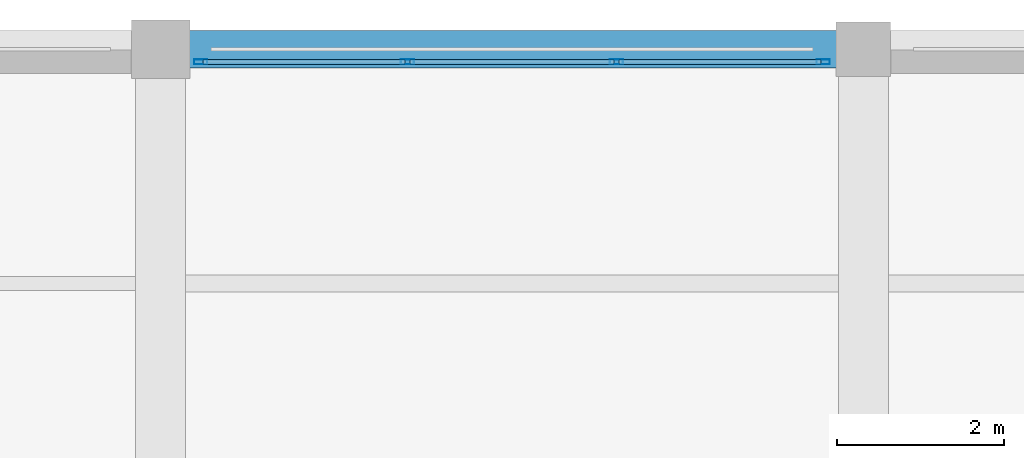
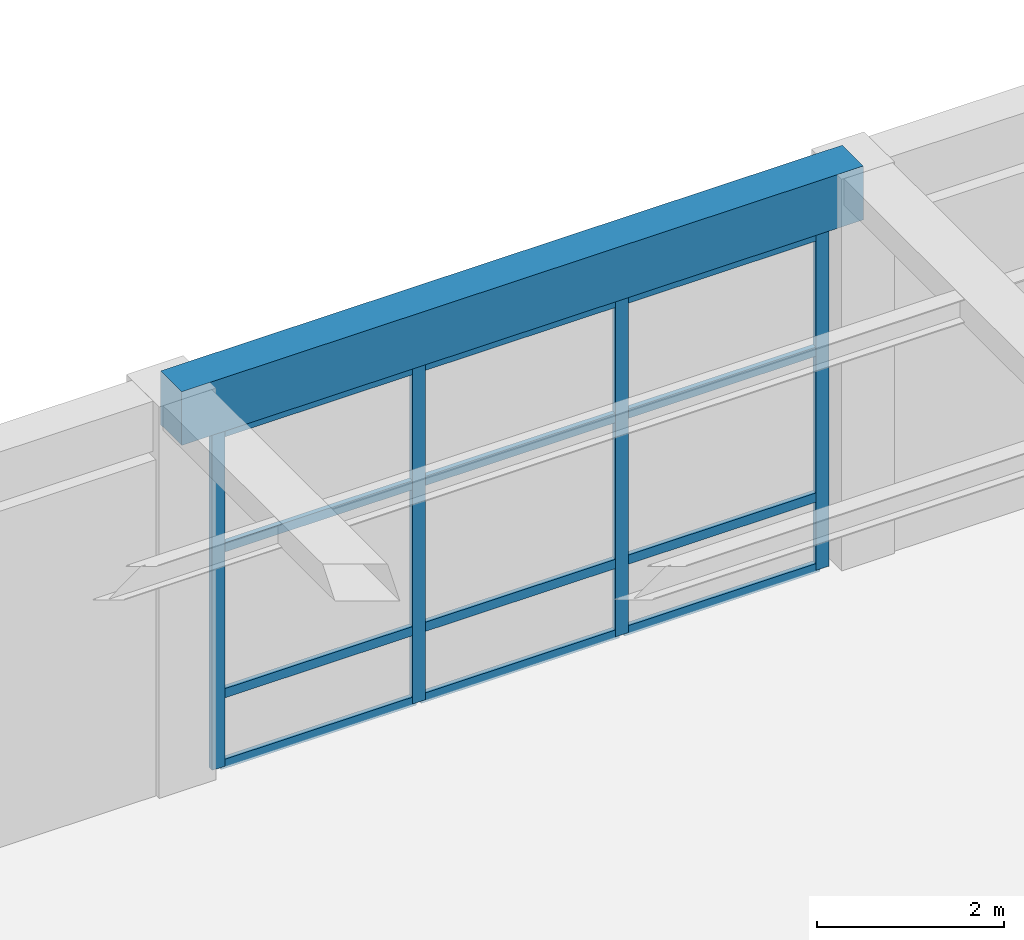
# One storey, part 41 of 96: 16 members, 1 beam, 1 element without a shape of its own.
"""IFC4 building model written with IfcOpenShell, lengths in metres."""

import ifcopenshell
import ifcopenshell.guid

model = None  # the IFC model being written
_history = None  # IfcOwnerHistory: only IFC2X3 demands one
_inside = {}  # id of a spatial element -> (the spatial element, [elements in it])
_under = {}  # id of a project, library or spatial element -> (it, [spatial elements below it])
_declared = {}  # id of a project -> (the project, [libraries it declares])
_typed = {}  # id of a type object -> (the type object, [elements of that type])
_made_of = {}  # id of a material, layer set ... -> (it, [elements and type objects made of it])


def new_model(schema):
    """Start an empty IFC model of exactly this schema.

    Asked for "IFC4X3", IfcOpenShell would pick the latest addendum, in which some entities
    have other attributes; the version numbers below select the first issue.
    IFC2X3 requires an IfcOwnerHistory on every rooted entity: one is made here for all.
    """
    global model, _history
    if schema == "IFC4X3":
        model = ifcopenshell.file(schema_version=(4, 3, 0, 0))
    else:
        model = ifcopenshell.file(schema=schema)
    _inside.clear()
    _under.clear()
    _declared.clear()
    _typed.clear()
    _made_of.clear()
    _history = None
    if model.schema == "IFC2X3":
        org = make("IfcOrganization", Name="unknown")
        user = make(
            "IfcPersonAndOrganization",
            ThePerson=make("IfcPerson", FamilyName="unknown"),
            TheOrganization=org,
        )
        app = make(
            "IfcApplication",
            ApplicationDeveloper=org,
            Version="unknown",
            ApplicationFullName="unknown",
            ApplicationIdentifier="unknown",
        )
        _history = make(
            "IfcOwnerHistory",
            OwningUser=user,
            OwningApplication=app,
            ChangeAction="ADDED",
            CreationDate=0,
        )
    return model


def make(cls, **values):
    """One entity of the class cls with the attributes given. An attribute that is None is left unset."""
    return model.create_entity(
        cls, **{name: value for name, value in values.items() if value is not None}
    )


def rooted(cls, **values):
    """An entity with a GlobalId (a new one), such as an element, a storey or a relation."""
    return make(cls, GlobalId=ifcopenshell.guid.new(), OwnerHistory=_history, **values)


def si_unit(unit_type, name, prefix=None):
    """IfcSIUnit, for example si_unit("LENGTHUNIT", "METRE", prefix="MILLI")."""
    return make("IfcSIUnit", UnitType=unit_type, Prefix=prefix, Name=name)


def assignment(units):
    """IfcUnitAssignment: the units of a project."""
    return None if units is None else make("IfcUnitAssignment", Units=units)


def point(xyz):
    """IfcCartesianPoint."""
    return None if xyz is None else make("IfcCartesianPoint", Coordinates=xyz)


def direction(xyz):
    """IfcDirection."""
    return None if xyz is None else make("IfcDirection", DirectionRatios=xyz)


def frame(location, z_axis=None, x_axis=None):
    """IfcAxis2Placement3D, a coordinate frame: its origin and axes. An axis left out is left unset."""
    return make(
        "IfcAxis2Placement3D",
        Location=point(location),
        Axis=direction(z_axis),
        RefDirection=direction(x_axis),
    )


def frame_2d(location, x_axis=None):
    """IfcAxis2Placement2D, a coordinate frame in the plane: its origin and x axis."""
    return make(
        "IfcAxis2Placement2D", Location=point(location), RefDirection=direction(x_axis)
    )


def origin():
    """The frame at (0, 0, 0) with its axes left unset."""
    return frame((0.0, 0.0, 0.0))


def origin_2d():
    """The frame at (0, 0) in the plane with its x axis left unset."""
    return frame_2d((0.0, 0.0))


def place(relative_to, where):
    """IfcLocalPlacement: puts the frame where relative to a parent placement (None: the world)."""
    return make(
        "IfcLocalPlacement", PlacementRelTo=relative_to, RelativePlacement=where
    )


def context(
    kind, dimensions, precision=None, world=None, true_north=None, identifier=None
):
    """IfcGeometricRepresentationContext, for example the 3D "Model" context."""
    return make(
        "IfcGeometricRepresentationContext",
        ContextIdentifier=identifier,
        ContextType=kind,
        CoordinateSpaceDimension=dimensions,
        Precision=precision,
        WorldCoordinateSystem=world,
        TrueNorth=true_north,
    )


def subcontext(parent, identifier, kind, view, scale=None):
    """IfcGeometricRepresentationSubContext, for example "Body" below "Model"."""
    return make(
        "IfcGeometricRepresentationSubContext",
        ContextIdentifier=identifier,
        ContextType=kind,
        ParentContext=parent,
        TargetScale=scale,
        TargetView=view,
    )


def project(units=None, contexts=None):
    """IfcProject with its units and contexts."""
    return rooted(
        "IfcProject",
        Name="project",
        RepresentationContexts=contexts,
        UnitsInContext=assignment(units),
    )


def spatial(cls, under=None, at=None, **own):
    """A site, building, storey or space (cls), placed at a placement, below another one or the project."""
    s = rooted(cls, ObjectPlacement=at, **own)
    if under is not None:
        _under.setdefault(under.id(), (under, []))[1].append(s)
    return s


def profile(cls, at=None, kind="AREA", **sizes):
    """A parametric profile (cls). Its sizes go by their IFC names, for example OverallWidth=200.0."""
    return make(cls, ProfileType=kind, Position=at, **sizes)


def rectangle(**sizes):
    """IfcRectangleProfileDef."""
    return profile("IfcRectangleProfileDef", **sizes)


def hollow_rectangle(**sizes):
    """IfcRectangleHollowProfileDef."""
    return profile("IfcRectangleHollowProfileDef", **sizes)


def extrude(swept, where, along, depth):
    """IfcExtrudedAreaSolid: the profile swept, set in the frame where, extruded along a direction by depth."""
    return make(
        "IfcExtrudedAreaSolid",
        SweptArea=swept,
        Position=where,
        ExtrudedDirection=direction(along),
        Depth=depth,
    )


def shape(context_of_items, identifier, shape_type, items):
    """IfcShapeRepresentation: the items that make up one representation, for example the "Body"."""
    return make(
        "IfcShapeRepresentation",
        ContextOfItems=context_of_items,
        RepresentationIdentifier=identifier,
        RepresentationType=shape_type,
        Items=items,
    )


def material(Name=None, Category=None):
    """IfcMaterial."""
    return make("IfcMaterial", Name=Name, Category=Category)


def material_profile(
    of_material, cross_section, Name=None, Category=None, Priority=None
):
    """IfcMaterialProfile: a cross section and its material."""
    return make(
        "IfcMaterialProfile",
        Name=Name,
        Material=of_material,
        Profile=cross_section,
        Priority=Priority,
        Category=Category,
    )


def profile_set(profiles, Name=None, composite=None):
    """IfcMaterialProfileSet."""
    return make(
        "IfcMaterialProfileSet",
        Name=Name,
        MaterialProfiles=profiles,
        CompositeProfile=composite,
    )


def made_of(thing, what):
    """Note that an element or type object is made of a material, layer set ...; save() writes the relation."""
    if what is not None:
        _made_of.setdefault(what.id(), (what, []))[1].append(thing)
    return thing


def type_object(cls, material=None, **own):
    """A type object (cls), such as IfcWallType, which elements share."""
    return made_of(rooted(cls, **own), material)


def element(
    cls,
    number,
    at=None,
    inside=None,
    cuts=None,
    type_object=None,
    material=None,
    context=None,
    identifier="Body",
    shape_type=None,
    held_by="IfcProductDefinitionShape",
    body=None,
    shapes=None,
    **own,
):
    """One element of the class cls, such as IfcWall. Its Tag is "e" and its number.

    at: its placement. inside: the storey or other place that contains it. cuts: it is an
    opening in that element (IfcRelVoidsElement). A single representation is given by context,
    identifier, shape_type and body (its items); several are given by shapes. held_by: the class
    of the entity that holds the representations. save() writes the other relations.
    """
    e = rooted(cls, Tag="e%d" % number, ObjectPlacement=at, **own)
    if body is not None:
        shapes = [shape(context, identifier, shape_type, body)]
    if shapes is not None:
        e.Representation = make(held_by, Representations=shapes)
    if inside is not None:
        _inside.setdefault(inside.id(), (inside, []))[1].append(e)
    if cuts is not None:
        rooted(
            "IfcRelVoidsElement", RelatingBuildingElement=cuts, RelatedOpeningElement=e
        )
    if type_object is not None:
        _typed.setdefault(type_object.id(), (type_object, []))[1].append(e)
    return made_of(e, material)


def aggregate(whole, parts):
    """IfcRelAggregates: a whole, such as a stair, and the parts it consists of."""
    return rooted("IfcRelAggregates", RelatingObject=whole, RelatedObjects=parts)


def save(model, path):
    """Write the relations noted so far, then the file.

    IfcRelAggregates (storeys below a building ...), IfcRelContainedInSpatialStructure (elements
    in a storey), IfcRelDefinesByType, IfcRelAssociatesMaterial and IfcRelDeclares: one each for
    every whole, place, type object, material and project.
    """
    for whole, parts in _under.values():
        aggregate(whole, parts)
    for where, things in _inside.values():
        rooted(
            "IfcRelContainedInSpatialStructure",
            RelatedElements=things,
            RelatingStructure=where,
        )
    for kind, things in _typed.values():
        rooted("IfcRelDefinesByType", RelatedObjects=things, RelatingType=kind)
    for what, things in _made_of.values():
        rooted("IfcRelAssociatesMaterial", RelatedObjects=things, RelatingMaterial=what)
    for by, libraries in _declared.values():
        rooted("IfcRelDeclares", RelatingContext=by, RelatedDefinitions=libraries)
    model.write(path)


model = new_model("IFC4")

# Units and contexts
model_context = context("Model", 3, precision=1e-05, world=origin(), true_north=direction((0.0, 1.0)))
body_context = subcontext(model_context, "Body", "Model", "MODEL_VIEW")
ifc_project = project(units=[si_unit("LENGTHUNIT", "METRE"), si_unit("AREAUNIT", "SQUARE_METRE"), si_unit("VOLUMEUNIT", "CUBIC_METRE"), si_unit("PLANEANGLEUNIT", "RADIAN"), si_unit("MASSUNIT", "GRAM", prefix="KILO")], contexts=[model_context])

# Site, building, storey
site_placement = place(None, origin())
site = spatial("IfcSite", under=ifc_project, at=site_placement, CompositionType="ELEMENT")
building_placement = place(site_placement, origin())
building = spatial("IfcBuilding", under=site, at=building_placement, Name="Almacenes y Pasaje Nevantli", CompositionType="ELEMENT")
storey_placement = place(building_placement, frame((0.0, 0.0, 6.0)))
storey = spatial("IfcBuildingStorey", under=building, at=storey_placement, Name="L02", CompositionType="ELEMENT", Elevation=6.0)

# Beam
ifc_material_1 = material(Name="Concrete C35/45", Category="concrete")
ifc_material_profile_1 = material_profile(ifc_material_1, rectangle(XDim=0.449951171875, YDim=0.699951171875, at=origin_2d()), Name="RC-BM-450x700")
ifc_profile_set_1 = profile_set([ifc_material_profile_1], Name="Concrete C35/45")
beam_type = type_object("IfcBeamType", Name="BM-RC-450x700", PredefinedType="SPANDREL", material=ifc_profile_set_1)
beam_placement = place(storey_placement, frame((50.39990234375, 117.60009765625, 4.75), z_axis=(1.0, 0.0, 0.0), x_axis=(0.0, 1.0, 0.0)))
element("IfcBeam", 1, at=beam_placement, inside=storey, type_object=beam_type, Name="L02 East-West Reinforced Concrete Beam #1952", PredefinedType="SPANDREL", context=body_context, shape_type="SweptSolid", body=[
    extrude(rectangle(XDim=0.449951171875, YDim=0.699951171875, at=origin_2d()), origin(), (0.0, 0.0, 1.0), 8.400146484375),
])

# Curtain wall, members
ifc_material_2 = material(Name="Thermally Broken Aluminium and Low-E Glass", Category="aluminium")
curtain_wall_type = type_object("IfcCurtainWallType", Name="CW-STF-BLVD", PredefinedType="USERDEFINED", material=ifc_material_2)
curtain_wall_placement = place(storey_placement, origin())
curtain_wall = element("IfcCurtainWall", 2, at=curtain_wall_placement, inside=storey, type_object=curtain_wall_type, Name="L02 North Boulevard Retail Curtain Wall Bay 7", ObjectType="STOREFRONT GLAZING", PredefinedType="USERDEFINED")
ifc_material_3 = material(Name="Thermally Broken Anodized Aluminium", Category="aluminium")
ifc_material_profile_2 = material_profile(ifc_material_3, hollow_rectangle(XDim=0.06005859375, YDim=0.159912109375, WallThickness=0.00390625, at=origin_2d()), Name="ALU-MUL-60x160")
ifc_profile_set_2 = profile_set([ifc_material_profile_2], Name="Thermally Broken Anodized Aluminium")
member_type_1 = type_object("IfcMemberType", Name="CW-MUL-180", PredefinedType="MULLION", material=ifc_profile_set_2)
member_1_placement = place(storey_placement, frame((50.8798828125, 117.449951171875, 0.0), z_axis=(0.0, 0.0, 1.0), x_axis=(0.0, 1.0, 0.0)))
member_1 = element("IfcMember", 3, at=member_1_placement, type_object=member_type_1, Name="CW-L02-004 mullion 1", PredefinedType="MULLION", context=body_context, shape_type="SweptSolid", body=[
    extrude(hollow_rectangle(XDim=0.06005859375, YDim=0.159912109375, WallThickness=0.00390625, at=origin_2d()), origin(), (0.0, 0.0, 1.0), 4.3798828125),
])
member_2_placement = place(storey_placement, frame((53.35009765625, 117.449951171875, 0.0), z_axis=(0.0, 0.0, 1.0), x_axis=(0.0, 1.0, 0.0)))
member_2 = element("IfcMember", 4, at=member_2_placement, type_object=member_type_1, Name="CW-L02-004 mullion 2", PredefinedType="MULLION", context=body_context, shape_type="SweptSolid", body=[
    extrude(hollow_rectangle(XDim=0.06005859375, YDim=0.159912109375, WallThickness=0.00390625, at=origin_2d()), origin(), (0.0, 0.0, 1.0), 4.3798828125),
])
member_3_placement = place(storey_placement, frame((55.85009765625, 117.449951171875, 0.0), z_axis=(0.0, 0.0, 1.0), x_axis=(0.0, 1.0, 0.0)))
member_3 = element("IfcMember", 5, at=member_3_placement, type_object=member_type_1, Name="CW-L02-004 mullion 3", PredefinedType="MULLION", context=body_context, shape_type="SweptSolid", body=[
    extrude(hollow_rectangle(XDim=0.06005859375, YDim=0.159912109375, WallThickness=0.00390625, at=origin_2d()), origin(), (0.0, 0.0, 1.0), 4.3798828125),
])
member_4_placement = place(storey_placement, frame((58.320068359375, 117.449951171875, 0.0), z_axis=(0.0, 0.0, 1.0), x_axis=(0.0, 1.0, 0.0)))
member_4 = element("IfcMember", 6, at=member_4_placement, type_object=member_type_1, Name="CW-L02-004 mullion 4", PredefinedType="MULLION", context=body_context, shape_type="SweptSolid", body=[
    extrude(hollow_rectangle(XDim=0.06005859375, YDim=0.159912109375, WallThickness=0.00390625, at=origin_2d()), origin(), (0.0, 0.0, 1.0), 4.3798828125),
])
ifc_material_4 = material(Name="Thermally Broken Anodized Aluminium", Category="aluminium")
ifc_material_profile_3 = material_profile(ifc_material_4, hollow_rectangle(XDim=0.06005859375, YDim=0.1201171875, WallThickness=0.00341796875, at=origin_2d()), Name="ALU-TRN-60x120")
ifc_profile_set_3 = profile_set([ifc_material_profile_3], Name="Thermally Broken Anodized Aluminium")
member_type_2 = type_object("IfcMemberType", Name="CW-TRN-130", PredefinedType="USERDEFINED", material=ifc_profile_set_3)
member_5_placement = place(storey_placement, frame((50.909912109375, 117.449951171875, 0.030029296875), z_axis=(1.0, 0.0, 0.0), x_axis=(0.0, 1.0, 0.0)))
member_5 = element("IfcMember", 7, at=member_5_placement, type_object=member_type_2, Name="CW-L02-004 transom 1.1", ObjectType="TRANSOM", PredefinedType="USERDEFINED", context=body_context, shape_type="SweptSolid", body=[
    extrude(hollow_rectangle(XDim=0.06005859375, YDim=0.1201171875, WallThickness=0.00341796875, at=origin_2d()), origin(), (0.0, 0.0, 1.0), 2.41015625),
])
member_6_placement = place(storey_placement, frame((50.909912109375, 117.449951171875, 0.949951171875), z_axis=(1.0, 0.0, 0.0), x_axis=(0.0, 1.0, 0.0)))
member_6 = element("IfcMember", 8, at=member_6_placement, type_object=member_type_2, Name="CW-L02-004 transom 1.2", ObjectType="TRANSOM", PredefinedType="USERDEFINED", context=body_context, shape_type="SweptSolid", body=[
    extrude(hollow_rectangle(XDim=0.06005859375, YDim=0.1201171875, WallThickness=0.00341796875, at=origin_2d()), origin(), (0.0, 0.0, 1.0), 2.41015625),
])
member_7_placement = place(storey_placement, frame((50.909912109375, 117.449951171875, 2.85009765625), z_axis=(1.0, 0.0, 0.0), x_axis=(0.0, 1.0, 0.0)))
member_7 = element("IfcMember", 9, at=member_7_placement, type_object=member_type_2, Name="CW-L02-004 transom 1.3", ObjectType="TRANSOM", PredefinedType="USERDEFINED", context=body_context, shape_type="SweptSolid", body=[
    extrude(hollow_rectangle(XDim=0.06005859375, YDim=0.1201171875, WallThickness=0.00341796875, at=origin_2d()), origin(), (0.0, 0.0, 1.0), 2.41015625),
])
member_8_placement = place(storey_placement, frame((50.909912109375, 117.449951171875, 4.35009765625), z_axis=(1.0, 0.0, 0.0), x_axis=(0.0, 1.0, 0.0)))
member_8 = element("IfcMember", 10, at=member_8_placement, type_object=member_type_2, Name="CW-L02-004 transom 1.4", ObjectType="TRANSOM", PredefinedType="USERDEFINED", context=body_context, shape_type="SweptSolid", body=[
    extrude(hollow_rectangle(XDim=0.06005859375, YDim=0.1201171875, WallThickness=0.00341796875, at=origin_2d()), origin(), (0.0, 0.0, 1.0), 2.41015625),
])
member_9_placement = place(storey_placement, frame((53.3798828125, 117.449951171875, 0.030029296875), z_axis=(1.0, 0.0, 0.0), x_axis=(0.0, 1.0, 0.0)))
member_9 = element("IfcMember", 11, at=member_9_placement, type_object=member_type_2, Name="CW-L02-004 transom 2.1", ObjectType="TRANSOM", PredefinedType="USERDEFINED", context=body_context, shape_type="SweptSolid", body=[
    extrude(hollow_rectangle(XDim=0.06005859375, YDim=0.1201171875, WallThickness=0.00341796875, at=origin_2d()), origin(), (0.0, 0.0, 1.0), 2.440185546875),
])
member_10_placement = place(storey_placement, frame((53.3798828125, 117.449951171875, 0.949951171875), z_axis=(1.0, 0.0, 0.0), x_axis=(0.0, 1.0, 0.0)))
member_10 = element("IfcMember", 12, at=member_10_placement, type_object=member_type_2, Name="CW-L02-004 transom 2.2", ObjectType="TRANSOM", PredefinedType="USERDEFINED", context=body_context, shape_type="SweptSolid", body=[
    extrude(hollow_rectangle(XDim=0.06005859375, YDim=0.1201171875, WallThickness=0.00341796875, at=origin_2d()), origin(), (0.0, 0.0, 1.0), 2.440185546875),
])
member_11_placement = place(storey_placement, frame((53.3798828125, 117.449951171875, 2.85009765625), z_axis=(1.0, 0.0, 0.0), x_axis=(0.0, 1.0, 0.0)))
member_11 = element("IfcMember", 13, at=member_11_placement, type_object=member_type_2, Name="CW-L02-004 transom 2.3", ObjectType="TRANSOM", PredefinedType="USERDEFINED", context=body_context, shape_type="SweptSolid", body=[
    extrude(hollow_rectangle(XDim=0.06005859375, YDim=0.1201171875, WallThickness=0.00341796875, at=origin_2d()), origin(), (0.0, 0.0, 1.0), 2.440185546875),
])
member_12_placement = place(storey_placement, frame((53.3798828125, 117.449951171875, 4.35009765625), z_axis=(1.0, 0.0, 0.0), x_axis=(0.0, 1.0, 0.0)))
member_12 = element("IfcMember", 14, at=member_12_placement, type_object=member_type_2, Name="CW-L02-004 transom 2.4", ObjectType="TRANSOM", PredefinedType="USERDEFINED", context=body_context, shape_type="SweptSolid", body=[
    extrude(hollow_rectangle(XDim=0.06005859375, YDim=0.1201171875, WallThickness=0.00341796875, at=origin_2d()), origin(), (0.0, 0.0, 1.0), 2.440185546875),
])
member_13_placement = place(storey_placement, frame((55.8798828125, 117.449951171875, 0.030029296875), z_axis=(1.0, 0.0, 0.0), x_axis=(0.0, 1.0, 0.0)))
member_13 = element("IfcMember", 15, at=member_13_placement, type_object=member_type_2, Name="CW-L02-004 transom 3.1", ObjectType="TRANSOM", PredefinedType="USERDEFINED", context=body_context, shape_type="SweptSolid", body=[
    extrude(hollow_rectangle(XDim=0.06005859375, YDim=0.1201171875, WallThickness=0.00341796875, at=origin_2d()), origin(), (0.0, 0.0, 1.0), 2.41015625),
])
member_14_placement = place(storey_placement, frame((55.8798828125, 117.449951171875, 0.949951171875), z_axis=(1.0, 0.0, 0.0), x_axis=(0.0, 1.0, 0.0)))
member_14 = element("IfcMember", 16, at=member_14_placement, type_object=member_type_2, Name="CW-L02-004 transom 3.2", ObjectType="TRANSOM", PredefinedType="USERDEFINED", context=body_context, shape_type="SweptSolid", body=[
    extrude(hollow_rectangle(XDim=0.06005859375, YDim=0.1201171875, WallThickness=0.00341796875, at=origin_2d()), origin(), (0.0, 0.0, 1.0), 2.41015625),
])
member_15_placement = place(storey_placement, frame((55.8798828125, 117.449951171875, 2.85009765625), z_axis=(1.0, 0.0, 0.0), x_axis=(0.0, 1.0, 0.0)))
member_15 = element("IfcMember", 17, at=member_15_placement, type_object=member_type_2, Name="CW-L02-004 transom 3.3", ObjectType="TRANSOM", PredefinedType="USERDEFINED", context=body_context, shape_type="SweptSolid", body=[
    extrude(hollow_rectangle(XDim=0.06005859375, YDim=0.1201171875, WallThickness=0.00341796875, at=origin_2d()), origin(), (0.0, 0.0, 1.0), 2.41015625),
])
member_16_placement = place(storey_placement, frame((55.8798828125, 117.449951171875, 4.35009765625), z_axis=(1.0, 0.0, 0.0), x_axis=(0.0, 1.0, 0.0)))
member_16 = element("IfcMember", 18, at=member_16_placement, type_object=member_type_2, Name="CW-L02-004 transom 3.4", ObjectType="TRANSOM", PredefinedType="USERDEFINED", context=body_context, shape_type="SweptSolid", body=[
    extrude(hollow_rectangle(XDim=0.06005859375, YDim=0.1201171875, WallThickness=0.00341796875, at=origin_2d()), origin(), (0.0, 0.0, 1.0), 2.41015625),
])
aggregate(curtain_wall, [member_1, member_2, member_3, member_4, member_5, member_6, member_7, member_8, member_9, member_10, member_11, member_12, member_13, member_14, member_15, member_16])

save(model, "model.ifc")
